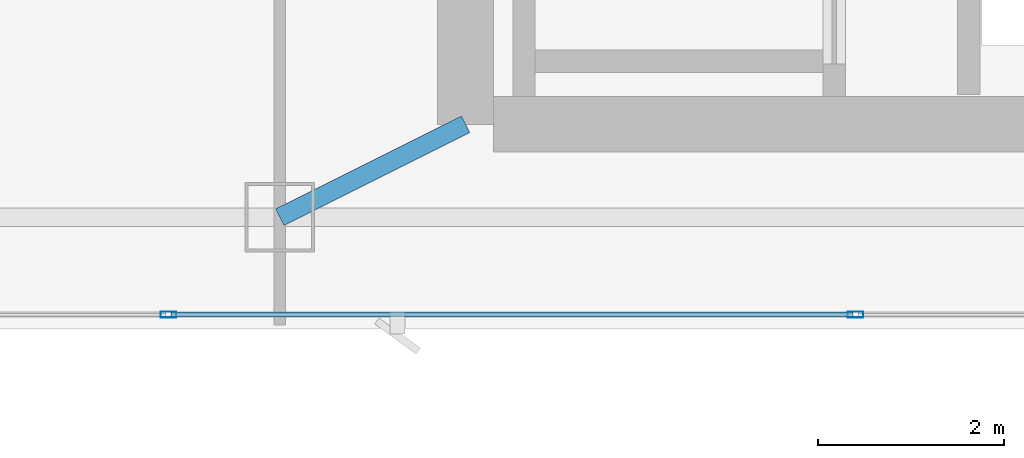
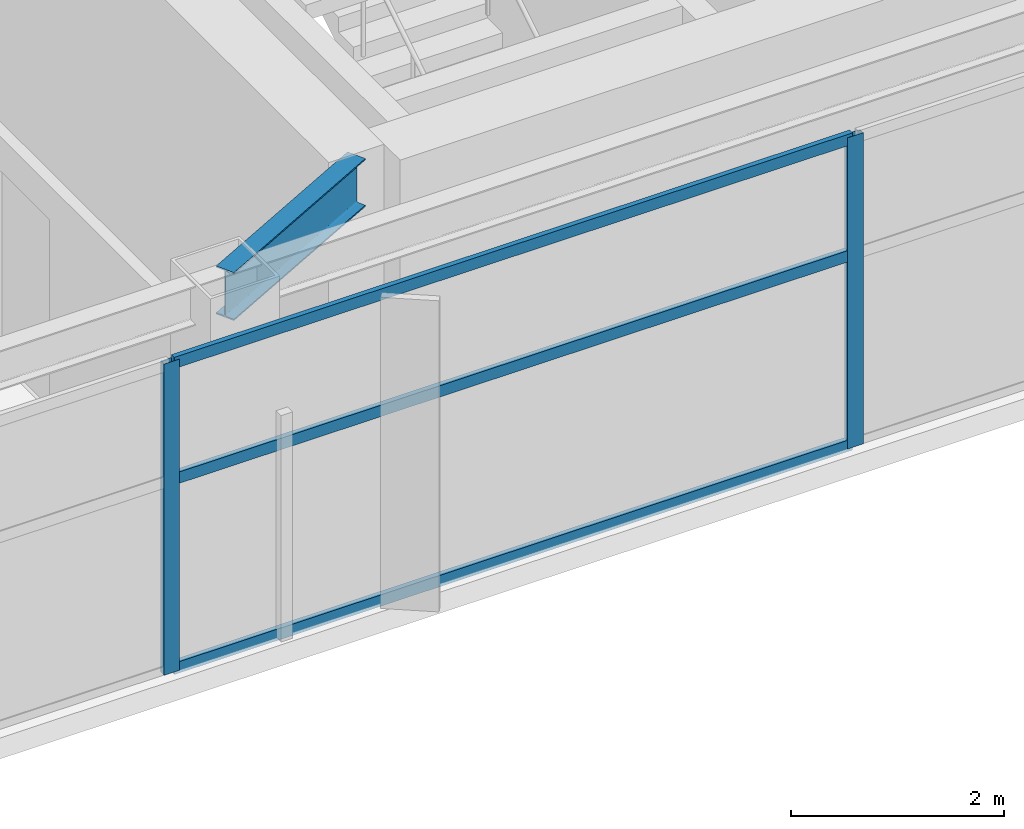
# One storey, part 7 of 28: 5 members, 1 beam, 1 element without a shape of its own.
"""IFC4 building model written with IfcOpenShell, lengths in metres."""

from ifc_helpers import new_model, si_unit, direction, frame, origin, origin_2d, place, context, subcontext, project, spatial, hollow_rectangle, i_section, extrude, material, layer, layer_set, material_profile, profile_set, type_object, element, aggregate, save


model = new_model("IFC4")

# Units and contexts
model_context = context("Model", 3, precision=1e-05, world=origin(), true_north=direction((0.0, 1.0)))
body_context = subcontext(model_context, "Body", "Model", "MODEL_VIEW")
ifc_project = project(units=[si_unit("LENGTHUNIT", "METRE"), si_unit("AREAUNIT", "SQUARE_METRE"), si_unit("VOLUMEUNIT", "CUBIC_METRE"), si_unit("PLANEANGLEUNIT", "RADIAN"), si_unit("MASSUNIT", "GRAM", prefix="KILO")], contexts=[model_context])

# Site, building, storey
site_placement = place(None, origin())
site = spatial("IfcSite", under=ifc_project, at=site_placement, CompositionType="ELEMENT")
building_placement = place(site_placement, origin())
building = spatial("IfcBuilding", under=site, at=building_placement, Name="Calvorn Quay Hotel", CompositionType="ELEMENT")
storey_placement = place(building_placement, frame((0.0, 0.0, 271.10009765625)))
storey = spatial("IfcBuildingStorey", under=building, at=storey_placement, Name="L67", CompositionType="ELEMENT", Elevation=271.10009765625)

# Beam
ifc_material_1 = material(Name="Steel Q355B", Category="steel")
ifc_material_profile_1 = material_profile(ifc_material_1, i_section(OverallWidth=0.199951171875, OverallDepth=0.550048828125, WebThickness=0.010009765625, FlangeThickness=0.01611328125, FilletRadius=0.01806640625, at=origin_2d()), Name="HN550x200x10x16")
ifc_profile_set_1 = profile_set([ifc_material_profile_1], Name="Steel Q355B")
beam_type = type_object("IfcBeamType", Name="BM-GIRD-UPP", PredefinedType="BEAM", material=ifc_profile_set_1)
beam_placement = place(storey_placement, frame((19.60009765625, 3.60009765625, 3.264892578125), z_axis=(0.894427191, 0.4472135955, 0.0), x_axis=(-0.4472135955, 0.894427191, 0.0)))
element("IfcBeam", 1, at=beam_placement, inside=storey, type_object=beam_type, Name="Beam BG-L67-S2", PredefinedType="BEAM", context=body_context, shape_type="SweptSolid", body=[
    extrude(i_section(OverallWidth=0.199951171875, OverallDepth=0.550048828125, WebThickness=0.010009765625, FlangeThickness=0.01611328125, FilletRadius=0.01806640625, at=origin_2d()), origin(), (0.0, 0.0, 1.0), 2.236083984375),
])

# Curtain wall, members
ifc_material_2 = material(Name="Champagne Bronze Anodised Aluminium and Low-E Glass", Category="aluminium")
ifc_layer = layer(ifc_material_2, 0.219970703125)
ifc_layer_set = layer_set([ifc_layer], Name="CW-SYS-Z4")
curtain_wall_type = type_object("IfcCurtainWallType", Name="CW-SYS-Z4", PredefinedType="NOTDEFINED", material=ifc_layer_set)
curtain_wall_placement = place(storey_placement, origin())
curtain_wall = element("IfcCurtainWall", 2, at=curtain_wall_placement, inside=storey, type_object=curtain_wall_type, Name="Tower South Waterfront Curtain Wall (L67)", PredefinedType="NOTDEFINED")
ifc_material_3 = material(Name="Champagne Bronze Anodised Aluminium 6063-T6", Category="aluminium")
ifc_material_profile_2 = material_profile(ifc_material_3, hollow_rectangle(XDim=0.06494140625, YDim=0.169921875, WallThickness=0.00341796875, at=origin_2d()), Name="ALU-M170x65x3.5")
ifc_profile_set_2 = profile_set([ifc_material_profile_2], Name="Champagne Bronze Anodised Aluminium 6063-T6")
member_type_1 = type_object("IfcMemberType", Name="CW-SYS-Z4-MUL", PredefinedType="MULLION", material=ifc_profile_set_2)
member_1_placement = place(storey_placement, frame((18.39990234375, 2.550048828125, 0.0), z_axis=(0.0, 0.0, 1.0), x_axis=(0.0, 1.0, 0.0)))
member_1 = element("IfcMember", 3, at=member_1_placement, type_object=member_type_1, Name="CW-L67-S mullion 2", PredefinedType="MULLION", context=body_context, shape_type="SweptSolid", body=[
    extrude(hollow_rectangle(XDim=0.06494140625, YDim=0.169921875, WallThickness=0.00341796875, at=origin_2d()), origin(), (0.0, 0.0, 1.0), 3.559814453125),
])
member_2_placement = place(storey_placement, frame((25.800048828125, 2.550048828125, 0.0), z_axis=(0.0, 0.0, 1.0), x_axis=(0.0, 1.0, 0.0)))
member_2 = element("IfcMember", 4, at=member_2_placement, type_object=member_type_1, Name="CW-L67-S mullion 3", PredefinedType="MULLION", context=body_context, shape_type="SweptSolid", body=[
    extrude(hollow_rectangle(XDim=0.06494140625, YDim=0.169921875, WallThickness=0.00341796875, at=origin_2d()), origin(), (0.0, 0.0, 1.0), 3.559814453125),
])
ifc_material_4 = material(Name="Champagne Bronze Anodised Aluminium 6063-T6", Category="aluminium")
ifc_material_profile_3 = material_profile(ifc_material_4, hollow_rectangle(XDim=0.054931640625, YDim=0.1298828125, WallThickness=0.003173828125, at=origin_2d()), Name="ALU-T130x55x3.2")
ifc_profile_set_3 = profile_set([ifc_material_profile_3], Name="Champagne Bronze Anodised Aluminium 6063-T6")
member_type_2 = type_object("IfcMemberType", Name="CW-SYS-Z4-TRN", PredefinedType="USERDEFINED", material=ifc_profile_set_3)
member_3_placement = place(storey_placement, frame((18.429931640625, 2.550048828125, 0.02978515625), z_axis=(1.0, 0.0, 0.0), x_axis=(0.0, 1.0, 0.0)))
member_3 = element("IfcMember", 5, at=member_3_placement, type_object=member_type_2, Name="CW-L67-S transom 2.1", ObjectType="TRANSOM", PredefinedType="USERDEFINED", context=body_context, shape_type="SweptSolid", body=[
    extrude(hollow_rectangle(XDim=0.054931640625, YDim=0.1298828125, WallThickness=0.003173828125, at=origin_2d()), origin(), (0.0, 0.0, 1.0), 7.340087890625),
])
member_4_placement = place(storey_placement, frame((18.429931640625, 2.550048828125, 2.199951171875), z_axis=(1.0, 0.0, 0.0), x_axis=(0.0, 1.0, 0.0)))
member_4 = element("IfcMember", 6, at=member_4_placement, type_object=member_type_2, Name="CW-L67-S transom 2.2", ObjectType="TRANSOM", PredefinedType="USERDEFINED", context=body_context, shape_type="SweptSolid", body=[
    extrude(hollow_rectangle(XDim=0.054931640625, YDim=0.1298828125, WallThickness=0.003173828125, at=origin_2d()), origin(), (0.0, 0.0, 1.0), 7.340087890625),
])
member_5_placement = place(storey_placement, frame((18.429931640625, 2.550048828125, 3.52978515625), z_axis=(1.0, 0.0, 0.0), x_axis=(0.0, 1.0, 0.0)))
member_5 = element("IfcMember", 7, at=member_5_placement, type_object=member_type_2, Name="CW-L67-S transom 2.3", ObjectType="TRANSOM", PredefinedType="USERDEFINED", context=body_context, shape_type="SweptSolid", body=[
    extrude(hollow_rectangle(XDim=0.054931640625, YDim=0.1298828125, WallThickness=0.003173828125, at=origin_2d()), origin(), (0.0, 0.0, 1.0), 7.340087890625),
])
aggregate(curtain_wall, [member_1, member_2, member_3, member_4, member_5])

save(model, "model.ifc")
